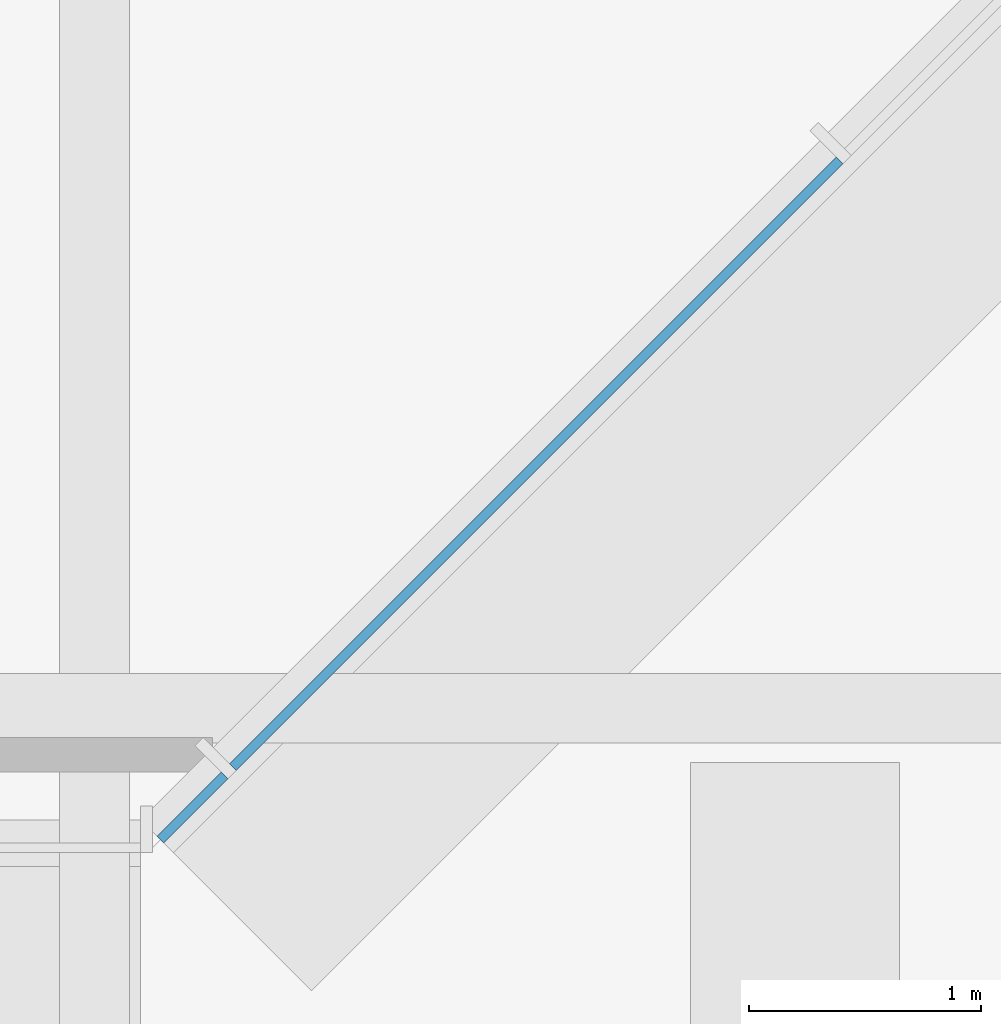
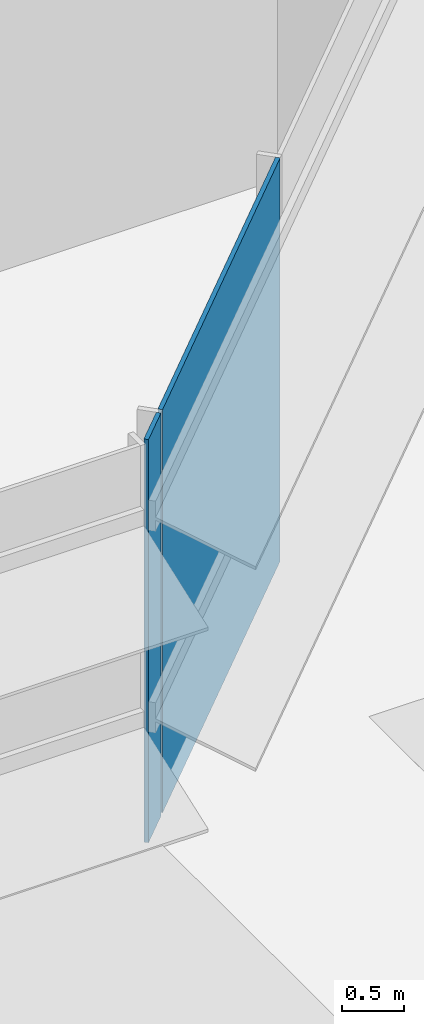
# One storey, part 17 of 26: 2 plates, 1 element without a shape of its own.
"""IFC4 building model written with IfcOpenShell, lengths in metres."""

from ifc_helpers import new_model, si_unit, direction, frame, origin, origin_2d, place, context, subcontext, project, spatial, rectangle, extrude, material, layer, layer_set, type_object, element, aggregate, save


model = new_model("IFC4")

# Units and contexts
model_context = context("Model", 3, precision=1e-05, world=origin(), true_north=direction((0.0, 1.0)))
body_context = subcontext(model_context, "Body", "Model", "MODEL_VIEW")
ifc_project = project(units=[si_unit("LENGTHUNIT", "METRE"), si_unit("AREAUNIT", "SQUARE_METRE"), si_unit("VOLUMEUNIT", "CUBIC_METRE"), si_unit("PLANEANGLEUNIT", "RADIAN"), si_unit("MASSUNIT", "GRAM", prefix="KILO")], contexts=[model_context])

# Site, building, storey
site_placement = place(None, origin())
site = spatial("IfcSite", under=ifc_project, at=site_placement, CompositionType="ELEMENT")
building_placement = place(site_placement, origin())
building = spatial("IfcBuilding", under=site, at=building_placement, Name="Sorahane Residences", CompositionType="ELEMENT")
storey_placement = place(building_placement, frame((0.0, 0.0, 337.800048828125)))
storey = spatial("IfcBuildingStorey", under=building, at=storey_placement, Name="L80", CompositionType="ELEMENT", Elevation=337.800048828125)

# Curtain wall, plates
ifc_material_1 = material(Name="Dark low-e glass and black anodised aluminium", Category="aluminium")
curtain_wall_type = type_object("IfcCurtainWallType", Name="Curtain wall CW-6 Crown unitised wall", PredefinedType="NOTDEFINED", material=ifc_material_1)
curtain_wall_placement = place(storey_placement, origin())
curtain_wall = element("IfcCurtainWall", 1, at=curtain_wall_placement, inside=storey, type_object=curtain_wall_type, Name="CW-6 curtain wall L80 SE1", PredefinedType="NOTDEFINED")
ifc_material_2 = material(Name="Dark low-e glass with black ceramic frit", Category="glass")
ifc_layer = layer(ifc_material_2, 0.0400390625)
ifc_layer_set = layer_set([ifc_layer], Name="Curtain wall glass panel dark low-e crown with black frit spandrel band")
plate_type = type_object("IfcPlateType", Name="Curtain wall glass panel dark low-e crown with black frit spandrel band", PredefinedType="CURTAIN_PANEL", material=ifc_layer_set)
plate_1_placement = place(storey_placement, frame((42.421875, 11.573486328125, -0.25), z_axis=(0.0, 0.0, 1.0), x_axis=(0.707106781187, 0.707106781187, 0.0)))
plate_1 = element("IfcPlate", 2, at=plate_1_placement, type_object=plate_type, Name="CW-6 glass panel L80 SE1.1", PredefinedType="CURTAIN_PANEL", context=body_context, shape_type="SweptSolid", body=[
    extrude(rectangle(XDim=0.390625, YDim=0.0400390625, at=origin_2d()), origin(), (0.0, 0.0, 1.0), 4.0),
])
plate_2_placement = place(storey_placement, frame((43.901123046875, 13.052490234375, -0.25), z_axis=(0.0, 0.0, 1.0), x_axis=(0.707106781187, 0.707106781187, 0.0)))
plate_2 = element("IfcPlate", 3, at=plate_2_placement, type_object=plate_type, Name="CW-6 glass panel L80 SE1.2", PredefinedType="CURTAIN_PANEL", context=body_context, shape_type="SweptSolid", body=[
    extrude(rectangle(XDim=3.692626953125, YDim=0.0400390625, at=origin_2d()), origin(), (0.0, 0.0, 1.0), 4.0),
])
aggregate(curtain_wall, [plate_1, plate_2])

save(model, "model.ifc")
